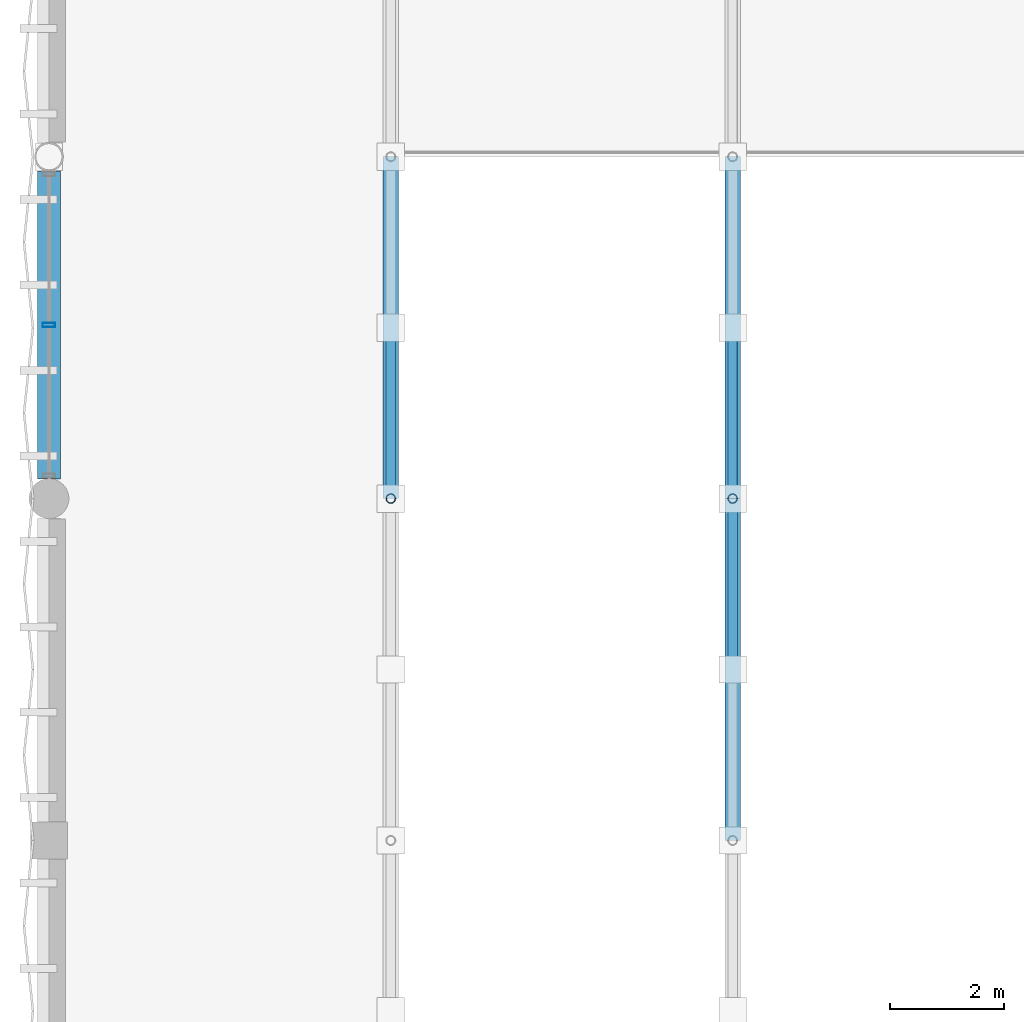
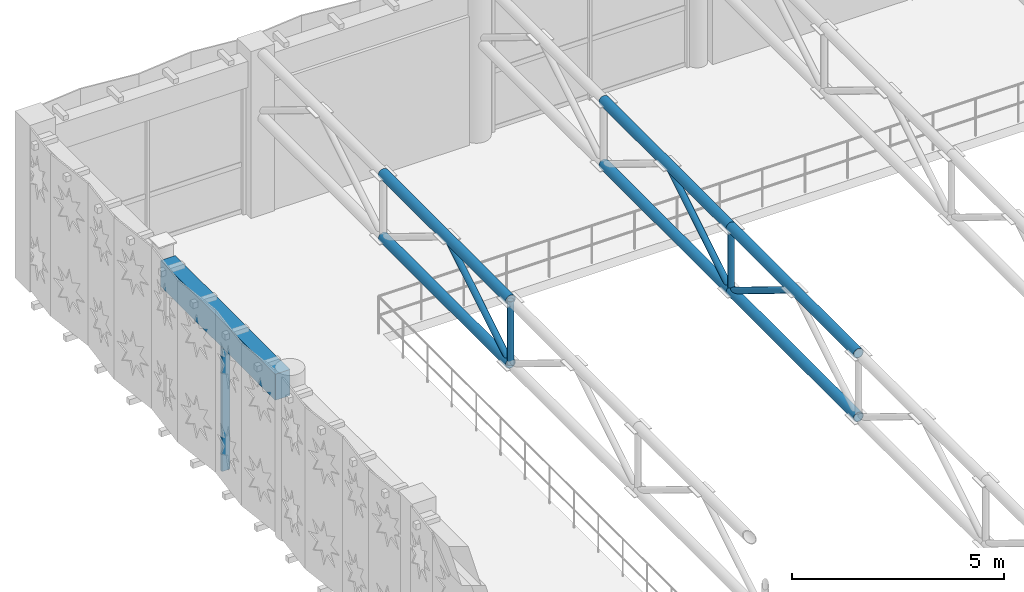
# One storey, part 41 of 123: 12 members, 1 beam, 1 element without a shape of its own.
"""IFC4 building model written with IfcOpenShell, lengths in metres."""

from ifc_helpers import new_model, si_unit, direction, frame, origin, origin_2d, place, context, subcontext, project, spatial, rectangle, hollow_rectangle, hollow_circle, extrude, material, material_profile, profile_set, type_object, element, aggregate, save


model = new_model("IFC4")

# Units and contexts
model_context = context("Model", 3, precision=1e-05, world=origin(), true_north=direction((0.0, 1.0)))
body_context = subcontext(model_context, "Body", "Model", "MODEL_VIEW")
ifc_project = project(units=[si_unit("LENGTHUNIT", "METRE"), si_unit("AREAUNIT", "SQUARE_METRE"), si_unit("VOLUMEUNIT", "CUBIC_METRE"), si_unit("PLANEANGLEUNIT", "RADIAN"), si_unit("MASSUNIT", "GRAM", prefix="KILO"), si_unit("THERMODYNAMICTEMPERATUREUNIT", "KELVIN"), si_unit("POWERUNIT", "WATT")], contexts=[model_context])

# Site, building, storey
site_placement = place(None, origin())
site = spatial("IfcSite", under=ifc_project, at=site_placement, CompositionType="ELEMENT")
building_placement = place(site_placement, origin())
building = spatial("IfcBuilding", under=site, at=building_placement, Name="Phaisarnlok Congress Hotel", CompositionType="ELEMENT")
storey_placement = place(building_placement, frame((0.0, 0.0, 15.0)))
storey = spatial("IfcBuildingStorey", under=building, at=storey_placement, Name="L03", CompositionType="ELEMENT", Elevation=15.0)

# Curtain wall, member
ifc_material_1 = material(Name="Thermally Broken Unitised Aluminium & Low-E Glazing", Category="aluminium")
curtain_wall_type = type_object("IfcCurtainWallType", Name="CW-UNIT-31", PredefinedType="NOTDEFINED", material=ifc_material_1)
curtain_wall_placement = place(storey_placement, origin())
curtain_wall = element("IfcCurtainWall", 1, at=curtain_wall_placement, inside=storey, type_object=curtain_wall_type, Name="Unitised curtain wall CW-31 (L03)", PredefinedType="NOTDEFINED")
ifc_material_2 = material(Name="Anodised Aluminium Alloy 6063-T6", Category="aluminium")
ifc_material_profile_1 = material_profile(ifc_material_2, hollow_rectangle(XDim=0.074951171875, YDim=0.219970703125, WallThickness=0.0048828125, at=origin_2d()), Name="ALU-M 75x220x5")
ifc_profile_set_1 = profile_set([ifc_material_profile_1], Name="Anodised Aluminium Alloy 6063-T6")
member_type_1 = type_object("IfcMemberType", Name="CWM-220", PredefinedType="MULLION", material=ifc_profile_set_1)
member_1_placement = place(storey_placement, frame((0.0, 111.048095703125, 0.0), z_axis=(0.0, 0.0, 1.0), x_axis=(0.0, -1.0, 0.0)))
member_1 = element("IfcMember", 2, at=member_1_placement, type_object=member_type_1, Name="Curtain wall mullion CWM-02", PredefinedType="MULLION", context=body_context, shape_type="SweptSolid", body=[
    extrude(hollow_rectangle(XDim=0.074951171875, YDim=0.219970703125, WallThickness=0.0048828125, at=origin_2d()), origin(), (0.0, 0.0, 1.0), 3.699951171875),
])
aggregate(curtain_wall, [member_1])

# Members
ifc_material_3 = material(Name="Steel S355", Category="steel")
ifc_material_profile_2 = material_profile(ifc_material_3, hollow_circle(Radius=0.084228515625, WallThickness=0.010009765625, at=origin_2d()), Name="CHS 168.3x10")
ifc_profile_set_2 = profile_set([ifc_material_profile_2], Name="Steel S355")
member_type_2 = type_object("IfcMemberType", Name="MEM-BRC-CHS168", PredefinedType="BRACE", material=ifc_profile_set_2)
member_2_placement = place(storey_placement, frame((6.0, 108.0, 2.800048828125), z_axis=(0.0, 0.0, 1.0), x_axis=(1.0, 0.0, 0.0)))
element("IfcMember", 3, at=member_2_placement, inside=storey, type_object=member_type_2, Name="Spa pavilion truss vertical TB-01", PredefinedType="BRACE", context=body_context, shape_type="SweptSolid", body=[
    extrude(hollow_circle(Radius=0.084228515625, WallThickness=0.010009765625, at=origin_2d()), origin(), (0.0, 0.0, 1.0), 1.829833984375),
])
for number, where, z_axis, x_axis, name in (
    (4, (6.0, 108.0, 2.800048828125), (0.0, 0.853724612577, 0.520724769797), (-1.0, 0.0, 0.0), "Spa pavilion truss diagonal TB-01"),
    (5, (12.0, 108.0, 2.800048828125), (0.0, -0.853724612577, 0.520724769797), (1.0, 0.0, 0.0), "Spa pavilion truss diagonal TB-01"),
):
    element("IfcMember", number, at=place(storey_placement, frame(where, z_axis=z_axis, x_axis=x_axis)), inside=storey, type_object=member_type_2, Name=name, PredefinedType="BRACE", context=body_context, shape_type="SweptSolid", body=[
        extrude(hollow_circle(Radius=0.084228515625, WallThickness=0.010009765625, at=origin_2d()), origin(), (0.0, 0.0, 1.0), 3.513916015625),
    ])
member_3_placement = place(storey_placement, frame((12.0, 108.0, 2.800048828125), z_axis=(0.0, 0.0, 1.0), x_axis=(1.0, 0.0, 0.0)))
element("IfcMember", 6, at=member_3_placement, inside=storey, type_object=member_type_2, Name="Spa pavilion truss vertical TB-01", PredefinedType="BRACE", context=body_context, shape_type="SweptSolid", body=[
    extrude(hollow_circle(Radius=0.084228515625, WallThickness=0.010009765625, at=origin_2d()), origin(), (0.0, 0.0, 1.0), 1.829833984375),
])
member_4_placement = place(storey_placement, frame((12.0, 108.0, 2.800048828125), z_axis=(0.0, 0.853724612577, 0.520724769797), x_axis=(-1.0, 0.0, 0.0)))
element("IfcMember", 7, at=member_4_placement, inside=storey, type_object=member_type_2, Name="Spa pavilion truss diagonal TB-01", PredefinedType="BRACE", context=body_context, shape_type="SweptSolid", body=[
    extrude(hollow_circle(Radius=0.084228515625, WallThickness=0.010009765625, at=origin_2d()), origin(), (0.0, 0.0, 1.0), 3.513916015625),
])
ifc_material_profile_3 = material_profile(ifc_material_3, hollow_circle(Radius=0.136474609375, WallThickness=0.01611328125, at=origin_2d()), Name="CHS 273x16")
ifc_profile_set_3 = profile_set([ifc_material_profile_3], Name="Steel S355")
member_type_3 = type_object("IfcMemberType", Name="MEM-CHD-CHS273", PredefinedType="CHORD", material=ifc_profile_set_3)
for number, where, z_axis, x_axis, name in (
    (8, (6.0, 108.0, 4.6298828125), (0.0, 1.0, 0.0), (-1.0, 0.0, 0.0), "Spa pavilion truss top chord TC-03"),
    (9, (6.0, 108.0, 2.800048828125), (0.0, 1.0, 0.0), (-1.0, 0.0, 0.0), "Spa pavilion truss bottom chord TC-03"),
    (10, (12.0, 102.0, 4.6298828125), (0.0, 1.0, 0.0), (-1.0, 0.0, 0.0), "Spa pavilion truss top chord TC-03"),
    (11, (12.0, 102.0, 2.800048828125), (0.0, 1.0, 0.0), (-1.0, 0.0, 0.0), "Spa pavilion truss bottom chord TC-03"),
    (12, (12.0, 108.0, 4.6298828125), (0.0, 1.0, 0.0), (-1.0, 0.0, 0.0), "Spa pavilion truss top chord TC-03"),
    (13, (12.0, 108.0, 2.800048828125), (0.0, 1.0, 0.0), (-1.0, 0.0, 0.0), "Spa pavilion truss bottom chord TC-03"),
):
    element("IfcMember", number, at=place(storey_placement, frame(where, z_axis=z_axis, x_axis=x_axis)), inside=storey, type_object=member_type_3, Name=name, PredefinedType="CHORD", context=body_context, shape_type="SweptSolid", body=[
        extrude(hollow_circle(Radius=0.136474609375, WallThickness=0.01611328125, at=origin_2d()), origin(), (0.0, 0.0, 1.0), 6.0),
    ])

# Beam
ifc_material_4 = material(Name="Concrete C40/50", Category="concrete")
ifc_material_profile_4 = material_profile(ifc_material_4, rectangle(XDim=0.39990234375, YDim=0.75, at=origin_2d()), Name="RC 400x750")
ifc_profile_set_4 = profile_set([ifc_material_profile_4], Name="Concrete C40/50")
beam_type = type_object("IfcBeamType", Name="SP-RC-400x750", PredefinedType="SPANDREL", material=ifc_profile_set_4)
beam_placement = place(storey_placement, frame((0.0, 108.344970703125, 4.074951171875), z_axis=(0.0, 1.0, 0.0), x_axis=(-1.0, 0.0, 0.0)))
element("IfcBeam", 14, at=beam_placement, inside=storey, type_object=beam_type, Name="Beam SP-02", PredefinedType="SPANDREL", context=body_context, shape_type="SweptSolid", body=[
    extrude(rectangle(XDim=0.39990234375, YDim=0.75, at=origin_2d()), origin(), (0.0, 0.0, 1.0), 5.406005859375),
])

save(model, "model.ifc")
